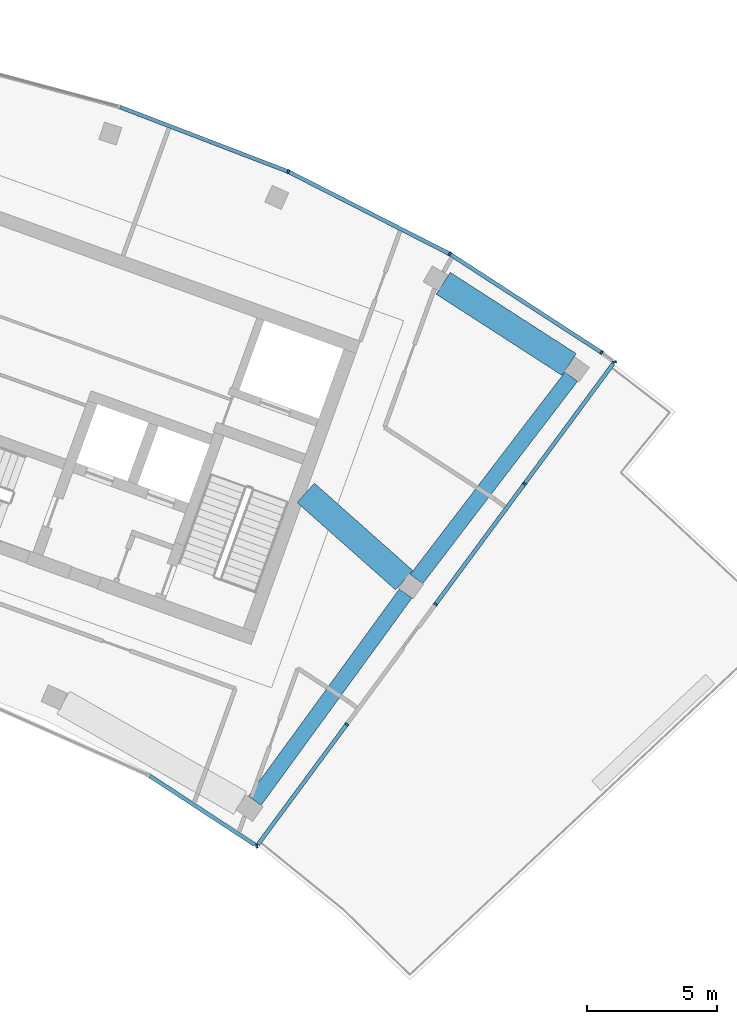
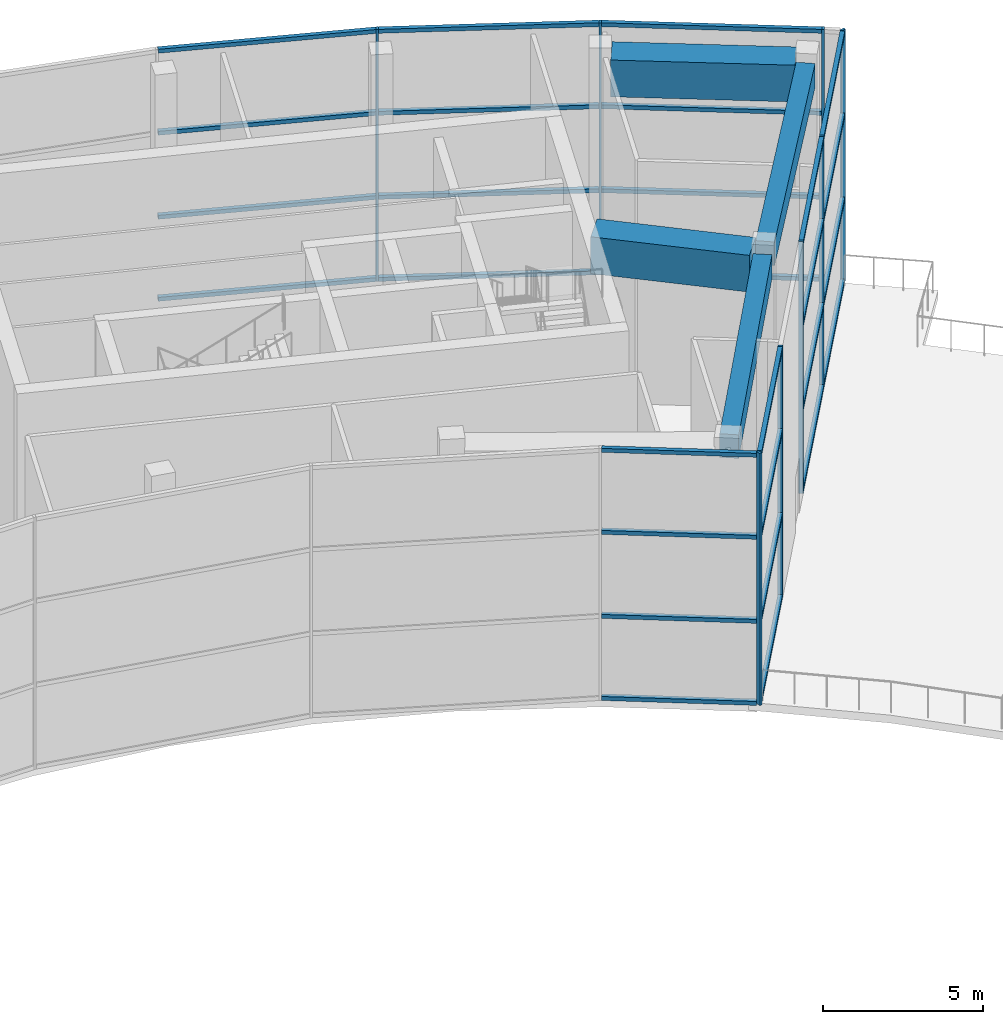
# One storey, part 8 of 20: 36 members, 4 beams, 3 elements without a shape of their own.
"""IFC4 building model written with IfcOpenShell, lengths in metres."""

from ifc_helpers import new_model, si_unit, direction, frame, origin, origin_2d, place, context, subcontext, project, spatial, rectangle, extrude, material, layer, layer_set, material_profile, profile_set, type_object, element, aggregate, save


model = new_model("IFC4")

# Units and contexts
model_context = context("Model", 3, precision=1e-05, world=origin(), true_north=direction((0.0, 1.0)))
body_context = subcontext(model_context, "Body", "Model", "MODEL_VIEW")
ifc_project = project(units=[si_unit("LENGTHUNIT", "METRE"), si_unit("AREAUNIT", "SQUARE_METRE"), si_unit("VOLUMEUNIT", "CUBIC_METRE"), si_unit("PLANEANGLEUNIT", "RADIAN"), si_unit("MASSUNIT", "GRAM", prefix="KILO")], contexts=[model_context])

# Site, building, storey
site_placement = place(None, origin())
site = spatial("IfcSite", under=ifc_project, at=site_placement, CompositionType="ELEMENT")
building_placement = place(site_placement, origin())
building = spatial("IfcBuilding", under=site, at=building_placement, Name="Stone Belt Terrace Tower", CompositionType="ELEMENT")
storey_placement = place(building_placement, frame((0.0, 0.0, 323.0)))
storey = spatial("IfcBuildingStorey", under=building, at=storey_placement, Name="L78", CompositionType="ELEMENT", Elevation=323.0)

# Curtain wall, members
ifc_material_1 = material(Name="Aluminium 6063-T6 anodised frame", Category="aluminium")
ifc_layer = layer(ifc_material_1, 0.14990234375)
ifc_layer_set = layer_set([ifc_layer], Name="CW-E conservatory and damper hall curtain wall")
curtain_wall_type = type_object("IfcCurtainWallType", Name="CW-E conservatory and damper hall curtain wall", PredefinedType="NOTDEFINED", material=ifc_layer_set)
curtain_wall_1_placement = place(storey_placement, origin())
curtain_wall_1 = element("IfcCurtainWall", 1, at=curtain_wall_1_placement, inside=storey, type_object=curtain_wall_type, Name="CW-E end face L78", PredefinedType="NOTDEFINED")
ifc_material_profile_1 = material_profile(ifc_material_1, rectangle(XDim=0.14990234375, YDim=0.080078125, at=origin_2d()), Name="Aluminium 6063-T6 80x150")
ifc_profile_set_1 = profile_set([ifc_material_profile_1], Name="Aluminium 6063-T6 anodised frame")
member_type_1 = type_object("IfcMemberType", Name="CW-E mullion 80 x 150", PredefinedType="MULLION", material=ifc_profile_set_1)
member_1_placement = place(storey_placement, frame((25.869140625, 34.8837890625, 0.0), z_axis=(0.0, 0.0, 1.0), x_axis=(-0.17629945197, 0.984336580259, 0.0)))
member_1 = element("IfcMember", 2, at=member_1_placement, type_object=member_type_1, Name="CW-E mullion 1", PredefinedType="MULLION", context=body_context, shape_type="SweptSolid", body=[
    extrude(rectangle(XDim=0.14990234375, YDim=0.080078125, at=origin_2d()), origin(), (0.0, 0.0, 1.0), 9.60009765625),
])
member_2_placement = place(storey_placement, frame((29.328369140625, 39.5654296875, 0.0), z_axis=(0.0, 0.0, 1.0), x_axis=(-0.804262069781, 0.594274787545, 0.0)))
member_2 = element("IfcMember", 3, at=member_2_placement, type_object=member_type_1, Name="CW-E mullion 2", PredefinedType="MULLION", context=body_context, shape_type="SweptSolid", body=[
    extrude(rectangle(XDim=0.14990234375, YDim=0.080078125, at=origin_2d()), origin(), (0.0, 0.0, 1.0), 9.60009765625),
])
member_3_placement = place(storey_placement, frame((32.745361328125, 44.18994140625, 0.0), z_axis=(0.0, 0.0, 1.0), x_axis=(-0.804262069781, 0.594274787545, 0.0)))
member_3 = element("IfcMember", 4, at=member_3_placement, type_object=member_type_1, Name="CW-E mullion 3", PredefinedType="MULLION", context=body_context, shape_type="SweptSolid", body=[
    extrude(rectangle(XDim=0.14990234375, YDim=0.080078125, at=origin_2d()), origin(), (0.0, 0.0, 1.0), 9.60009765625),
])
member_4_placement = place(storey_placement, frame((36.16259765625, 48.814453125, 0.0), z_axis=(0.0, 0.0, 1.0), x_axis=(-0.804262069781, 0.594274787545, 0.0)))
member_4 = element("IfcMember", 5, at=member_4_placement, type_object=member_type_1, Name="CW-E mullion 4", PredefinedType="MULLION", context=body_context, shape_type="SweptSolid", body=[
    extrude(rectangle(XDim=0.14990234375, YDim=0.080078125, at=origin_2d()), origin(), (0.0, 0.0, 1.0), 9.60009765625),
])

curtain_wall_2_placement = place(storey_placement, origin())
curtain_wall_2 = element("IfcCurtainWall", 6, at=curtain_wall_2_placement, inside=storey, type_object=curtain_wall_type, Name="CW-E convex face L78", PredefinedType="NOTDEFINED")
member_5_placement = place(storey_placement, frame((39.624267578125, 53.49951171875, 0.0), z_axis=(0.0, 0.0, 1.0), x_axis=(-0.988614254338, -0.150472110772, 0.0)))
member_5 = element("IfcMember", 7, at=member_5_placement, type_object=member_type_1, Name="CW-E mullion 1", PredefinedType="MULLION", context=body_context, shape_type="SweptSolid", body=[
    extrude(rectangle(XDim=0.14990234375, YDim=0.080078125, at=origin_2d()), origin(), (0.0, 0.0, 1.0), 9.60009765625),
])
member_6_placement = place(storey_placement, frame((39.13037109375, 53.861328125, 0.0), z_axis=(0.0, 0.0, 1.0), x_axis=(-0.568062635751, -0.822985322994, 0.0)))
member_6 = element("IfcMember", 8, at=member_6_placement, type_object=member_type_1, Name="CW-E mullion 2", PredefinedType="MULLION", context=body_context, shape_type="SweptSolid", body=[
    extrude(rectangle(XDim=0.14990234375, YDim=0.080078125, at=origin_2d()), origin(), (0.0, 0.0, 1.0), 9.60009765625),
])
member_7_placement = place(storey_placement, frame((33.28759765625, 57.65576171875, 0.0), z_axis=(0.0, 0.0, 1.0), x_axis=(-0.5, -0.866025403784, 0.0)))
member_7 = element("IfcMember", 9, at=member_7_placement, type_object=member_type_1, Name="CW-E mullion 3", PredefinedType="MULLION", context=body_context, shape_type="SweptSolid", body=[
    extrude(rectangle(XDim=0.14990234375, YDim=0.080078125, at=origin_2d()), origin(), (0.0, 0.0, 1.0), 9.60009765625),
])
member_8_placement = place(storey_placement, frame((27.07861328125, 60.8193359375, 0.0), z_axis=(0.0, 0.0, 1.0), x_axis=(-0.406736643076, -0.913545457643, 0.0)))
member_8 = element("IfcMember", 10, at=member_8_placement, type_object=member_type_1, Name="CW-E mullion 4", PredefinedType="MULLION", context=body_context, shape_type="SweptSolid", body=[
    extrude(rectangle(XDim=0.14990234375, YDim=0.080078125, at=origin_2d()), origin(), (0.0, 0.0, 1.0), 9.60009765625),
])

curtain_wall_3_placement = place(storey_placement, origin())
curtain_wall_3 = element("IfcCurtainWall", 11, at=curtain_wall_3_placement, inside=storey, type_object=curtain_wall_type, Name="CW-E concave face L78", PredefinedType="NOTDEFINED")
ifc_material_profile_2 = material_profile(ifc_material_1, rectangle(XDim=0.14990234375, YDim=0.14990234375, at=origin_2d()), Name="Aluminium 6063-T6 150x150")
ifc_profile_set_2 = profile_set([ifc_material_profile_2], Name="Aluminium 6063-T6 anodised frame")
member_type_2 = type_object("IfcMemberType", Name="CW-E transom 150 x 150", PredefinedType="USERDEFINED", material=ifc_profile_set_2)
member_9_placement = place(storey_placement, frame((21.75244140625, 37.580810546875, 0.074951171875), z_axis=(0.836477073014, -0.548001921824, 0.0), x_axis=(0.548001921824, 0.836477073014, 0.0)))
member_9 = element("IfcMember", 12, at=member_9_placement, type_object=member_type_2, Name="CW-E transom 7.1", ObjectType="TRANSOM", PredefinedType="USERDEFINED", context=body_context, shape_type="SweptSolid", body=[
    extrude(rectangle(XDim=0.14990234375, YDim=0.14990234375, at=origin_2d()), origin(), (0.0, 0.0, 1.0), 4.8408203125),
])
member_10_placement = place(storey_placement, frame((21.75244140625, 37.580810546875, 3.199951171875), z_axis=(0.836477073014, -0.548001921824, 0.0), x_axis=(0.548001921824, 0.836477073014, 0.0)))
member_10 = element("IfcMember", 13, at=member_10_placement, type_object=member_type_2, Name="CW-E transom 7.2", ObjectType="TRANSOM", PredefinedType="USERDEFINED", context=body_context, shape_type="SweptSolid", body=[
    extrude(rectangle(XDim=0.14990234375, YDim=0.14990234375, at=origin_2d()), origin(), (0.0, 0.0, 1.0), 4.8408203125),
])
member_11_placement = place(storey_placement, frame((21.75244140625, 37.580810546875, 6.39990234375), z_axis=(0.836477073014, -0.548001921824, 0.0), x_axis=(0.548001921824, 0.836477073014, 0.0)))
member_11 = element("IfcMember", 14, at=member_11_placement, type_object=member_type_2, Name="CW-E transom 7.3", ObjectType="TRANSOM", PredefinedType="USERDEFINED", context=body_context, shape_type="SweptSolid", body=[
    extrude(rectangle(XDim=0.14990234375, YDim=0.14990234375, at=origin_2d()), origin(), (0.0, 0.0, 1.0), 4.8408203125),
])
member_12_placement = place(storey_placement, frame((21.75244140625, 37.580810546875, 9.52490234375), z_axis=(0.836477073014, -0.548001921824, 0.0), x_axis=(0.548001921824, 0.836477073014, 0.0)))
member_12 = element("IfcMember", 15, at=member_12_placement, type_object=member_type_2, Name="CW-E transom 7.4", ObjectType="TRANSOM", PredefinedType="USERDEFINED", context=body_context, shape_type="SweptSolid", body=[
    extrude(rectangle(XDim=0.14990234375, YDim=0.14990234375, at=origin_2d()), origin(), (0.0, 0.0, 1.0), 4.8408203125),
])
aggregate(curtain_wall_3, [member_9, member_10, member_11, member_12])

# Member
member_13_placement = place(storey_placement, frame((25.9169921875, 34.94873046875, 0.074951171875), z_axis=(0.594297126131, 0.804245563166, 0.0), x_axis=(-0.804245563166, 0.594297126131, 0.0)))
member_13 = element("IfcMember", 16, at=member_13_placement, type_object=member_type_2, Name="CW-E transom 1.1", ObjectType="TRANSOM", PredefinedType="USERDEFINED", context=body_context, shape_type="SweptSolid", body=[
    extrude(rectangle(XDim=0.14990234375, YDim=0.14990234375, at=origin_2d()), origin(), (0.0, 0.0, 1.0), 5.700439453125),
])

member_14_placement = place(storey_placement, frame((25.9169921875, 34.94873046875, 3.199951171875), z_axis=(0.594297126131, 0.804245563166, 0.0), x_axis=(-0.804245563166, 0.594297126131, 0.0)))
member_14 = element("IfcMember", 17, at=member_14_placement, type_object=member_type_2, Name="CW-E transom 1.2", ObjectType="TRANSOM", PredefinedType="USERDEFINED", context=body_context, shape_type="SweptSolid", body=[
    extrude(rectangle(XDim=0.14990234375, YDim=0.14990234375, at=origin_2d()), origin(), (0.0, 0.0, 1.0), 5.700439453125),
])

member_15_placement = place(storey_placement, frame((25.9169921875, 34.94873046875, 6.39990234375), z_axis=(0.594297126131, 0.804245563166, 0.0), x_axis=(-0.804245563166, 0.594297126131, 0.0)))
member_15 = element("IfcMember", 18, at=member_15_placement, type_object=member_type_2, Name="CW-E transom 1.3", ObjectType="TRANSOM", PredefinedType="USERDEFINED", context=body_context, shape_type="SweptSolid", body=[
    extrude(rectangle(XDim=0.14990234375, YDim=0.14990234375, at=origin_2d()), origin(), (0.0, 0.0, 1.0), 5.700439453125),
])

member_16_placement = place(storey_placement, frame((25.9169921875, 34.94873046875, 9.52490234375), z_axis=(0.594297126131, 0.804245563166, 0.0), x_axis=(-0.804245563166, 0.594297126131, 0.0)))
member_16 = element("IfcMember", 19, at=member_16_placement, type_object=member_type_2, Name="CW-E transom 1.4", ObjectType="TRANSOM", PredefinedType="USERDEFINED", context=body_context, shape_type="SweptSolid", body=[
    extrude(rectangle(XDim=0.14990234375, YDim=0.14990234375, at=origin_2d()), origin(), (0.0, 0.0, 1.0), 5.700439453125),
])

member_17_placement = place(storey_placement, frame((32.769287109375, 44.221923828125, 0.074951171875), z_axis=(0.594245769547, 0.80428351057, 0.0), x_axis=(-0.80428351057, 0.594245769547, 0.0)))
member_17 = element("IfcMember", 20, at=member_17_placement, type_object=member_type_2, Name="CW-E transom 3.1", ObjectType="TRANSOM", PredefinedType="USERDEFINED", context=body_context, shape_type="SweptSolid", body=[
    extrude(rectangle(XDim=0.14990234375, YDim=0.14990234375, at=origin_2d()), origin(), (0.0, 0.0, 1.0), 5.669921875),
])

member_18_placement = place(storey_placement, frame((32.769287109375, 44.221923828125, 3.199951171875), z_axis=(0.594245769547, 0.80428351057, 0.0), x_axis=(-0.80428351057, 0.594245769547, 0.0)))
member_18 = element("IfcMember", 21, at=member_18_placement, type_object=member_type_2, Name="CW-E transom 3.2", ObjectType="TRANSOM", PredefinedType="USERDEFINED", context=body_context, shape_type="SweptSolid", body=[
    extrude(rectangle(XDim=0.14990234375, YDim=0.14990234375, at=origin_2d()), origin(), (0.0, 0.0, 1.0), 5.669921875),
])

member_19_placement = place(storey_placement, frame((32.769287109375, 44.221923828125, 6.39990234375), z_axis=(0.594245769547, 0.80428351057, 0.0), x_axis=(-0.80428351057, 0.594245769547, 0.0)))
member_19 = element("IfcMember", 22, at=member_19_placement, type_object=member_type_2, Name="CW-E transom 3.3", ObjectType="TRANSOM", PredefinedType="USERDEFINED", context=body_context, shape_type="SweptSolid", body=[
    extrude(rectangle(XDim=0.14990234375, YDim=0.14990234375, at=origin_2d()), origin(), (0.0, 0.0, 1.0), 5.669921875),
])

member_20_placement = place(storey_placement, frame((32.769287109375, 44.221923828125, 9.52490234375), z_axis=(0.594245769547, 0.80428351057, 0.0), x_axis=(-0.80428351057, 0.594245769547, 0.0)))
member_20 = element("IfcMember", 23, at=member_20_placement, type_object=member_type_2, Name="CW-E transom 3.4", ObjectType="TRANSOM", PredefinedType="USERDEFINED", context=body_context, shape_type="SweptSolid", body=[
    extrude(rectangle(XDim=0.14990234375, YDim=0.14990234375, at=origin_2d()), origin(), (0.0, 0.0, 1.0), 5.669921875),
])

member_21_placement = place(storey_placement, frame((36.186279296875, 48.846435546875, 0.074951171875), z_axis=(0.594252654573, 0.804278423515, 0.0), x_axis=(-0.804278423515, 0.594252654573, 0.0)))
member_21 = element("IfcMember", 24, at=member_21_placement, type_object=member_type_2, Name="CW-E transom 4.1", ObjectType="TRANSOM", PredefinedType="USERDEFINED", context=body_context, shape_type="SweptSolid", body=[
    extrude(rectangle(XDim=0.14990234375, YDim=0.14990234375, at=origin_2d()), origin(), (0.0, 0.0, 1.0), 5.7041015625),
])

member_22_placement = place(storey_placement, frame((36.186279296875, 48.846435546875, 3.199951171875), z_axis=(0.594252654573, 0.804278423515, 0.0), x_axis=(-0.804278423515, 0.594252654573, 0.0)))
member_22 = element("IfcMember", 25, at=member_22_placement, type_object=member_type_2, Name="CW-E transom 4.2", ObjectType="TRANSOM", PredefinedType="USERDEFINED", context=body_context, shape_type="SweptSolid", body=[
    extrude(rectangle(XDim=0.14990234375, YDim=0.14990234375, at=origin_2d()), origin(), (0.0, 0.0, 1.0), 5.7041015625),
])

member_23_placement = place(storey_placement, frame((36.186279296875, 48.846435546875, 6.39990234375), z_axis=(0.594252654573, 0.804278423515, 0.0), x_axis=(-0.804278423515, 0.594252654573, 0.0)))
member_23 = element("IfcMember", 26, at=member_23_placement, type_object=member_type_2, Name="CW-E transom 4.3", ObjectType="TRANSOM", PredefinedType="USERDEFINED", context=body_context, shape_type="SweptSolid", body=[
    extrude(rectangle(XDim=0.14990234375, YDim=0.14990234375, at=origin_2d()), origin(), (0.0, 0.0, 1.0), 5.7041015625),
])

member_24_placement = place(storey_placement, frame((36.186279296875, 48.846435546875, 9.52490234375), z_axis=(0.594252654573, 0.804278423515, 0.0), x_axis=(-0.804278423515, 0.594252654573, 0.0)))
member_24 = element("IfcMember", 27, at=member_24_placement, type_object=member_type_2, Name="CW-E transom 4.4", ObjectType="TRANSOM", PredefinedType="USERDEFINED", context=body_context, shape_type="SweptSolid", body=[
    extrude(rectangle(XDim=0.14990234375, YDim=0.14990234375, at=origin_2d()), origin(), (0.0, 0.0, 1.0), 5.7041015625),
])

aggregate(curtain_wall_1, [member_1, member_2, member_3, member_4, member_13, member_14, member_15, member_16, member_17, member_18, member_19, member_20, member_21, member_22, member_23, member_24])

member_25_placement = place(storey_placement, frame((39.094970703125, 53.88427734375, 0.074951171875), z_axis=(-0.838660808913, 0.544654062312, 0.0), x_axis=(-0.544654062312, -0.838660808913, 0.0)))
member_25 = element("IfcMember", 28, at=member_25_placement, type_object=member_type_2, Name="CW-E transom 2.1", ObjectType="TRANSOM", PredefinedType="USERDEFINED", context=body_context, shape_type="SweptSolid", body=[
    extrude(rectangle(XDim=0.14990234375, YDim=0.14990234375, at=origin_2d()), origin(), (0.0, 0.0, 1.0), 6.880615234375),
])

member_26_placement = place(storey_placement, frame((39.094970703125, 53.88427734375, 3.199951171875), z_axis=(-0.838660808913, 0.544654062312, 0.0), x_axis=(-0.544654062312, -0.838660808913, 0.0)))
member_26 = element("IfcMember", 29, at=member_26_placement, type_object=member_type_2, Name="CW-E transom 2.2", ObjectType="TRANSOM", PredefinedType="USERDEFINED", context=body_context, shape_type="SweptSolid", body=[
    extrude(rectangle(XDim=0.14990234375, YDim=0.14990234375, at=origin_2d()), origin(), (0.0, 0.0, 1.0), 6.880615234375),
])

member_27_placement = place(storey_placement, frame((39.094970703125, 53.88427734375, 6.39990234375), z_axis=(-0.838660808913, 0.544654062312, 0.0), x_axis=(-0.544654062312, -0.838660808913, 0.0)))
member_27 = element("IfcMember", 30, at=member_27_placement, type_object=member_type_2, Name="CW-E transom 2.3", ObjectType="TRANSOM", PredefinedType="USERDEFINED", context=body_context, shape_type="SweptSolid", body=[
    extrude(rectangle(XDim=0.14990234375, YDim=0.14990234375, at=origin_2d()), origin(), (0.0, 0.0, 1.0), 6.880615234375),
])

member_28_placement = place(storey_placement, frame((39.094970703125, 53.88427734375, 9.52490234375), z_axis=(-0.838660808913, 0.544654062312, 0.0), x_axis=(-0.544654062312, -0.838660808913, 0.0)))
member_28 = element("IfcMember", 31, at=member_28_placement, type_object=member_type_2, Name="CW-E transom 2.4", ObjectType="TRANSOM", PredefinedType="USERDEFINED", context=body_context, shape_type="SweptSolid", body=[
    extrude(rectangle(XDim=0.14990234375, YDim=0.14990234375, at=origin_2d()), origin(), (0.0, 0.0, 1.0), 6.880615234375),
])

member_29_placement = place(storey_placement, frame((33.24853515625, 57.675537109375, 0.074951171875), z_axis=(-0.890995086377, 0.454012947009, 0.0), x_axis=(-0.454012947009, -0.890995086377, 0.0)))
member_29 = element("IfcMember", 32, at=member_29_placement, type_object=member_type_2, Name="CW-E transom 3.1", ObjectType="TRANSOM", PredefinedType="USERDEFINED", context=body_context, shape_type="SweptSolid", body=[
    extrude(rectangle(XDim=0.14990234375, YDim=0.14990234375, at=origin_2d()), origin(), (0.0, 0.0, 1.0), 6.880859375),
])

member_30_placement = place(storey_placement, frame((33.24853515625, 57.675537109375, 3.199951171875), z_axis=(-0.890995086377, 0.454012947009, 0.0), x_axis=(-0.454012947009, -0.890995086377, 0.0)))
member_30 = element("IfcMember", 33, at=member_30_placement, type_object=member_type_2, Name="CW-E transom 3.2", ObjectType="TRANSOM", PredefinedType="USERDEFINED", context=body_context, shape_type="SweptSolid", body=[
    extrude(rectangle(XDim=0.14990234375, YDim=0.14990234375, at=origin_2d()), origin(), (0.0, 0.0, 1.0), 6.880859375),
])

member_31_placement = place(storey_placement, frame((33.24853515625, 57.675537109375, 6.39990234375), z_axis=(-0.890995086377, 0.454012947009, 0.0), x_axis=(-0.454012947009, -0.890995086377, 0.0)))
member_31 = element("IfcMember", 34, at=member_31_placement, type_object=member_type_2, Name="CW-E transom 3.3", ObjectType="TRANSOM", PredefinedType="USERDEFINED", context=body_context, shape_type="SweptSolid", body=[
    extrude(rectangle(XDim=0.14990234375, YDim=0.14990234375, at=origin_2d()), origin(), (0.0, 0.0, 1.0), 6.880859375),
])

member_32_placement = place(storey_placement, frame((33.24853515625, 57.675537109375, 9.52490234375), z_axis=(-0.890995086377, 0.454012947009, 0.0), x_axis=(-0.454012947009, -0.890995086377, 0.0)))
member_32 = element("IfcMember", 35, at=member_32_placement, type_object=member_type_2, Name="CW-E transom 3.4", ObjectType="TRANSOM", PredefinedType="USERDEFINED", context=body_context, shape_type="SweptSolid", body=[
    extrude(rectangle(XDim=0.14990234375, YDim=0.14990234375, at=origin_2d()), origin(), (0.0, 0.0, 1.0), 6.880859375),
])

member_33_placement = place(storey_placement, frame((27.03759765625, 60.835205078125, 0.074951171875), z_axis=(-0.933583162569, 0.358360821752, 0.0), x_axis=(-0.358360821752, -0.933583162569, 0.0)))
member_33 = element("IfcMember", 36, at=member_33_placement, type_object=member_type_2, Name="CW-E transom 4.1", ObjectType="TRANSOM", PredefinedType="USERDEFINED", context=body_context, shape_type="SweptSolid", body=[
    extrude(rectangle(XDim=0.14990234375, YDim=0.14990234375, at=origin_2d()), origin(), (0.0, 0.0, 1.0), 6.880859375),
])

member_34_placement = place(storey_placement, frame((27.03759765625, 60.835205078125, 3.199951171875), z_axis=(-0.933583162569, 0.358360821752, 0.0), x_axis=(-0.358360821752, -0.933583162569, 0.0)))
member_34 = element("IfcMember", 37, at=member_34_placement, type_object=member_type_2, Name="CW-E transom 4.2", ObjectType="TRANSOM", PredefinedType="USERDEFINED", context=body_context, shape_type="SweptSolid", body=[
    extrude(rectangle(XDim=0.14990234375, YDim=0.14990234375, at=origin_2d()), origin(), (0.0, 0.0, 1.0), 6.880859375),
])

member_35_placement = place(storey_placement, frame((27.03759765625, 60.835205078125, 6.39990234375), z_axis=(-0.933583162569, 0.358360821752, 0.0), x_axis=(-0.358360821752, -0.933583162569, 0.0)))
member_35 = element("IfcMember", 38, at=member_35_placement, type_object=member_type_2, Name="CW-E transom 4.3", ObjectType="TRANSOM", PredefinedType="USERDEFINED", context=body_context, shape_type="SweptSolid", body=[
    extrude(rectangle(XDim=0.14990234375, YDim=0.14990234375, at=origin_2d()), origin(), (0.0, 0.0, 1.0), 6.880859375),
])

member_36_placement = place(storey_placement, frame((27.03759765625, 60.835205078125, 9.52490234375), z_axis=(-0.933583162569, 0.358360821752, 0.0), x_axis=(-0.358360821752, -0.933583162569, 0.0)))
member_36 = element("IfcMember", 39, at=member_36_placement, type_object=member_type_2, Name="CW-E transom 4.4", ObjectType="TRANSOM", PredefinedType="USERDEFINED", context=body_context, shape_type="SweptSolid", body=[
    extrude(rectangle(XDim=0.14990234375, YDim=0.14990234375, at=origin_2d()), origin(), (0.0, 0.0, 1.0), 6.880859375),
])

aggregate(curtain_wall_2, [member_5, member_6, member_7, member_8, member_25, member_26, member_27, member_28, member_29, member_30, member_31, member_32, member_33, member_34, member_35, member_36])

# Beams
ifc_material_2 = material(Name="Concrete B60", Category="concrete")
ifc_material_profile_3 = material_profile(ifc_material_2, rectangle(XDim=0.60009765625, YDim=0.89990234375, at=origin_2d()), Name="RC 600x900")
ifc_profile_set_3 = profile_set([ifc_material_profile_3], Name="Concrete B60")
beam_type_1 = type_object("IfcBeamType", Name="Edge beam RC 600x900 B60", PredefinedType="SPANDREL", material=ifc_profile_set_3)
beam_1_placement = place(storey_placement, frame((25.791259765625, 36.625, 8.800048828125), z_axis=(0.588548681957, 0.808461779534, 0.0), x_axis=(-0.808461779534, 0.588548681957, 0.0)))
element("IfcBeam", 40, at=beam_1_placement, inside=storey, type_object=beam_type_1, Name="Edge beam L78 B P to Q", PredefinedType="SPANDREL", context=body_context, shape_type="SweptSolid", body=[
    extrude(rectangle(XDim=0.60009765625, YDim=0.89990234375, at=origin_2d()), origin(), (0.0, 0.0, 1.0), 9.85595703125),
])
beam_2_placement = place(storey_placement, frame((32.0107421875, 45.154541015625, 8.800048828125), z_axis=(0.607610158673, 0.794235415401, 0.0), x_axis=(-0.794235415401, 0.607610158673, 0.0)))
element("IfcBeam", 41, at=beam_2_placement, inside=storey, type_object=beam_type_1, Name="Edge beam L78 B Q to R", PredefinedType="SPANDREL", context=body_context, shape_type="SweptSolid", body=[
    extrude(rectangle(XDim=0.60009765625, YDim=0.89990234375, at=origin_2d()), origin(), (0.0, 0.0, 1.0), 9.79443359375),
])
ifc_material_3 = material(Name="Concrete B80", Category="concrete")
ifc_material_profile_4 = material_profile(ifc_material_3, rectangle(XDim=1.0, YDim=1.39990234375, at=origin_2d()), Name="RC 1000x1400")
ifc_profile_set_4 = profile_set([ifc_material_profile_4], Name="Concrete B80")
beam_type_2 = type_object("IfcBeamType", Name="Transfer beam RC 1000x1400 B80", PredefinedType="BEAM", material=ifc_profile_set_4)
beam_3_placement = place(storey_placement, frame((27.751220703125, 48.466064453125, 8.550048828125), z_axis=(0.74810671963, -0.663578432473, 0.0), x_axis=(0.663578432473, 0.74810671963, 0.0)))
element("IfcBeam", 42, at=beam_3_placement, inside=storey, type_object=beam_type_2, Name="Transfer beam L78 QWBe-QB", PredefinedType="BEAM", context=body_context, shape_type="SweptSolid", body=[
    extrude(rectangle(XDim=1.0, YDim=1.39990234375, at=origin_2d()), origin(), (0.0, 0.0, 1.0), 5.057373046875),
])
beam_4_placement = place(storey_placement, frame((33.038818359375, 56.52490234375, 8.550048828125), z_axis=(0.840307234169, -0.542110461257, 0.0), x_axis=(0.542110461257, 0.840307234169, 0.0)))
element("IfcBeam", 43, at=beam_4_placement, inside=storey, type_object=beam_type_2, Name="Transfer beam L78 RR27-RB", PredefinedType="BEAM", context=body_context, shape_type="SweptSolid", body=[
    extrude(rectangle(XDim=1.0, YDim=1.39990234375, at=origin_2d()), origin(), (0.0, 0.0, 1.0), 5.761474609375),
])

save(model, "model.ifc")
